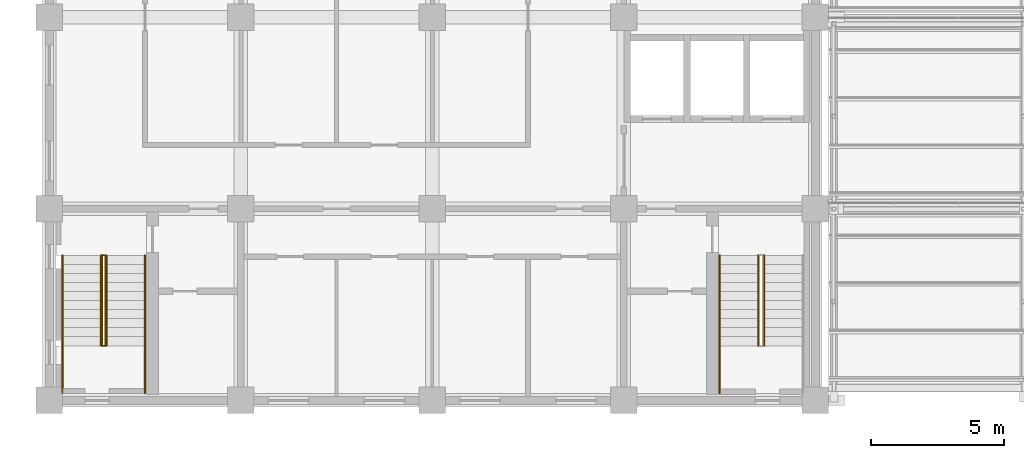
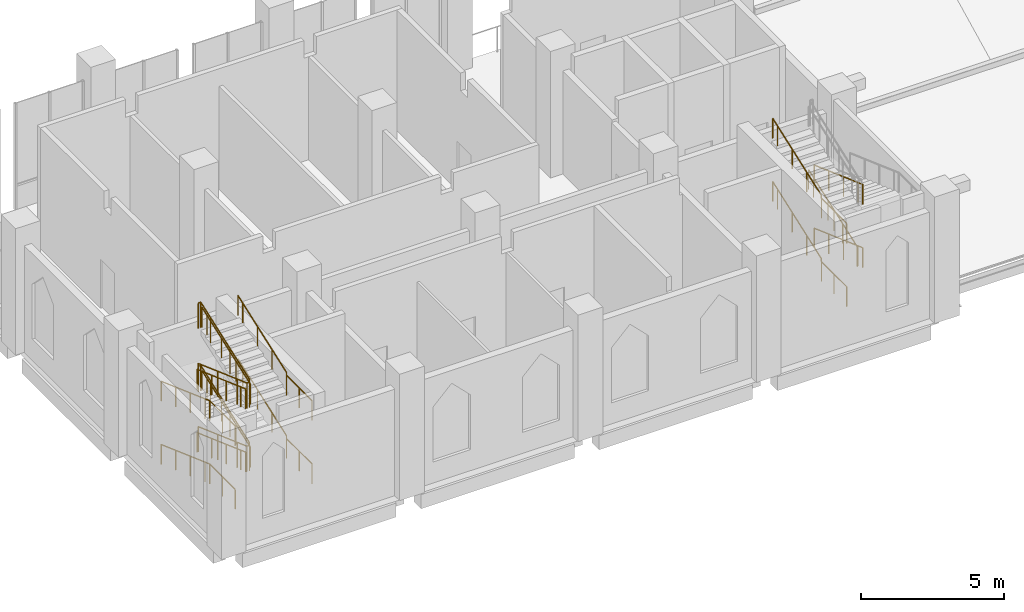
# One storey, part 79 of 83: 14 railings.
"""IFC4 building model written with IfcOpenShell, lengths in metres."""

import ifcopenshell
import ifcopenshell.guid

model = None  # the IFC model being written
_history = None  # IfcOwnerHistory: only IFC2X3 demands one
_inside = {}  # id of a spatial element -> (the spatial element, [elements in it])
_under = {}  # id of a project, library or spatial element -> (it, [spatial elements below it])
_declared = {}  # id of a project -> (the project, [libraries it declares])
_typed = {}  # id of a type object -> (the type object, [elements of that type])
_made_of = {}  # id of a material, layer set ... -> (it, [elements and type objects made of it])


def new_model(schema):
    """Start an empty IFC model of exactly this schema.

    Asked for "IFC4X3", IfcOpenShell would pick the latest addendum, in which some entities
    have other attributes; the version numbers below select the first issue.
    IFC2X3 requires an IfcOwnerHistory on every rooted entity: one is made here for all.
    """
    global model, _history
    if schema == "IFC4X3":
        model = ifcopenshell.file(schema_version=(4, 3, 0, 0))
    else:
        model = ifcopenshell.file(schema=schema)
    _inside.clear()
    _under.clear()
    _declared.clear()
    _typed.clear()
    _made_of.clear()
    _history = None
    if model.schema == "IFC2X3":
        org = make("IfcOrganization", Name="unknown")
        user = make(
            "IfcPersonAndOrganization",
            ThePerson=make("IfcPerson", FamilyName="unknown"),
            TheOrganization=org,
        )
        app = make(
            "IfcApplication",
            ApplicationDeveloper=org,
            Version="unknown",
            ApplicationFullName="unknown",
            ApplicationIdentifier="unknown",
        )
        _history = make(
            "IfcOwnerHistory",
            OwningUser=user,
            OwningApplication=app,
            ChangeAction="ADDED",
            CreationDate=0,
        )
    return model


def make(cls, **values):
    """One entity of the class cls with the attributes given. An attribute that is None is left unset."""
    return model.create_entity(
        cls, **{name: value for name, value in values.items() if value is not None}
    )


def rooted(cls, **values):
    """An entity with a GlobalId (a new one), such as an element, a storey or a relation."""
    return make(cls, GlobalId=ifcopenshell.guid.new(), OwnerHistory=_history, **values)


def si_unit(unit_type, name, prefix=None):
    """IfcSIUnit, for example si_unit("LENGTHUNIT", "METRE", prefix="MILLI")."""
    return make("IfcSIUnit", UnitType=unit_type, Prefix=prefix, Name=name)


def assignment(units):
    """IfcUnitAssignment: the units of a project."""
    return None if units is None else make("IfcUnitAssignment", Units=units)


def point(xyz):
    """IfcCartesianPoint."""
    return None if xyz is None else make("IfcCartesianPoint", Coordinates=xyz)


def direction(xyz):
    """IfcDirection."""
    return None if xyz is None else make("IfcDirection", DirectionRatios=xyz)


def frame(location, z_axis=None, x_axis=None):
    """IfcAxis2Placement3D, a coordinate frame: its origin and axes. An axis left out is left unset."""
    return make(
        "IfcAxis2Placement3D",
        Location=point(location),
        Axis=direction(z_axis),
        RefDirection=direction(x_axis),
    )


def frame_2d(location, x_axis=None):
    """IfcAxis2Placement2D, a coordinate frame in the plane: its origin and x axis."""
    return make(
        "IfcAxis2Placement2D", Location=point(location), RefDirection=direction(x_axis)
    )


def origin():
    """The frame at (0, 0, 0) with its axes left unset."""
    return frame((0.0, 0.0, 0.0))


def origin_2d():
    """The frame at (0, 0) in the plane with its x axis left unset."""
    return frame_2d((0.0, 0.0))


def place(relative_to, where):
    """IfcLocalPlacement: puts the frame where relative to a parent placement (None: the world)."""
    return make(
        "IfcLocalPlacement", PlacementRelTo=relative_to, RelativePlacement=where
    )


def context(
    kind, dimensions, precision=None, world=None, true_north=None, identifier=None
):
    """IfcGeometricRepresentationContext, for example the 3D "Model" context."""
    return make(
        "IfcGeometricRepresentationContext",
        ContextIdentifier=identifier,
        ContextType=kind,
        CoordinateSpaceDimension=dimensions,
        Precision=precision,
        WorldCoordinateSystem=world,
        TrueNorth=true_north,
    )


def subcontext(parent, identifier, kind, view, scale=None):
    """IfcGeometricRepresentationSubContext, for example "Body" below "Model"."""
    return make(
        "IfcGeometricRepresentationSubContext",
        ContextIdentifier=identifier,
        ContextType=kind,
        ParentContext=parent,
        TargetScale=scale,
        TargetView=view,
    )


def project(units=None, contexts=None):
    """IfcProject with its units and contexts."""
    return rooted(
        "IfcProject",
        Name="project",
        RepresentationContexts=contexts,
        UnitsInContext=assignment(units),
    )


def spatial(cls, under=None, at=None, **own):
    """A site, building, storey or space (cls), placed at a placement, below another one or the project."""
    s = rooted(cls, ObjectPlacement=at, **own)
    if under is not None:
        _under.setdefault(under.id(), (under, []))[1].append(s)
    return s


def profile(cls, at=None, kind="AREA", **sizes):
    """A parametric profile (cls). Its sizes go by their IFC names, for example OverallWidth=200.0."""
    return make(cls, ProfileType=kind, Position=at, **sizes)


def circle(**sizes):
    """IfcCircleProfileDef."""
    return profile("IfcCircleProfileDef", **sizes)


def extrude(swept, where, along, depth):
    """IfcExtrudedAreaSolid: the profile swept, set in the frame where, extruded along a direction by depth."""
    return make(
        "IfcExtrudedAreaSolid",
        SweptArea=swept,
        Position=where,
        ExtrudedDirection=direction(along),
        Depth=depth,
    )


def shape(context_of_items, identifier, shape_type, items):
    """IfcShapeRepresentation: the items that make up one representation, for example the "Body"."""
    return make(
        "IfcShapeRepresentation",
        ContextOfItems=context_of_items,
        RepresentationIdentifier=identifier,
        RepresentationType=shape_type,
        Items=items,
    )


def material(Name=None, Category=None):
    """IfcMaterial."""
    return make("IfcMaterial", Name=Name, Category=Category)


def made_of(thing, what):
    """Note that an element or type object is made of a material, layer set ...; save() writes the relation."""
    if what is not None:
        _made_of.setdefault(what.id(), (what, []))[1].append(thing)
    return thing


def type_object(cls, material=None, **own):
    """A type object (cls), such as IfcWallType, which elements share."""
    return made_of(rooted(cls, **own), material)


def element(
    cls,
    number,
    at=None,
    inside=None,
    cuts=None,
    type_object=None,
    material=None,
    context=None,
    identifier="Body",
    shape_type=None,
    held_by="IfcProductDefinitionShape",
    body=None,
    shapes=None,
    **own,
):
    """One element of the class cls, such as IfcWall. Its Tag is "e" and its number.

    at: its placement. inside: the storey or other place that contains it. cuts: it is an
    opening in that element (IfcRelVoidsElement). A single representation is given by context,
    identifier, shape_type and body (its items); several are given by shapes. held_by: the class
    of the entity that holds the representations. save() writes the other relations.
    """
    e = rooted(cls, Tag="e%d" % number, ObjectPlacement=at, **own)
    if body is not None:
        shapes = [shape(context, identifier, shape_type, body)]
    if shapes is not None:
        e.Representation = make(held_by, Representations=shapes)
    if inside is not None:
        _inside.setdefault(inside.id(), (inside, []))[1].append(e)
    if cuts is not None:
        rooted(
            "IfcRelVoidsElement", RelatingBuildingElement=cuts, RelatedOpeningElement=e
        )
    if type_object is not None:
        _typed.setdefault(type_object.id(), (type_object, []))[1].append(e)
    return made_of(e, material)


def aggregate(whole, parts):
    """IfcRelAggregates: a whole, such as a stair, and the parts it consists of."""
    return rooted("IfcRelAggregates", RelatingObject=whole, RelatedObjects=parts)


def save(model, path):
    """Write the relations noted so far, then the file.

    IfcRelAggregates (storeys below a building ...), IfcRelContainedInSpatialStructure (elements
    in a storey), IfcRelDefinesByType, IfcRelAssociatesMaterial and IfcRelDeclares: one each for
    every whole, place, type object, material and project.
    """
    for whole, parts in _under.values():
        aggregate(whole, parts)
    for where, things in _inside.values():
        rooted(
            "IfcRelContainedInSpatialStructure",
            RelatedElements=things,
            RelatingStructure=where,
        )
    for kind, things in _typed.values():
        rooted("IfcRelDefinesByType", RelatedObjects=things, RelatingType=kind)
    for what, things in _made_of.values():
        rooted("IfcRelAssociatesMaterial", RelatedObjects=things, RelatingMaterial=what)
    for by, libraries in _declared.values():
        rooted("IfcRelDeclares", RelatingContext=by, RelatedDefinitions=libraries)
    model.write(path)


model = new_model("IFC4")

# Units and contexts
model_context = context("Model", 3, precision=1e-05, world=origin(), true_north=direction((0.0, 1.0)))
body_context = subcontext(model_context, "Body", "Model", "MODEL_VIEW")
ifc_project = project(units=[si_unit("LENGTHUNIT", "METRE"), si_unit("AREAUNIT", "SQUARE_METRE"), si_unit("VOLUMEUNIT", "CUBIC_METRE"), si_unit("PLANEANGLEUNIT", "RADIAN"), si_unit("MASSUNIT", "GRAM", prefix="KILO")], contexts=[model_context])

# Site, building, storey
site_placement = place(None, origin())
site = spatial("IfcSite", under=ifc_project, at=site_placement, CompositionType="ELEMENT")
building_placement = place(site_placement, origin())
building = spatial("IfcBuilding", under=site, at=building_placement, Name="Silangan Lancet Faculty of Sciences", CompositionType="ELEMENT")
storey_placement = place(building_placement, frame((0.0, 0.0, 11.39990234375)))
storey = spatial("IfcBuildingStorey", under=building, at=storey_placement, Name="L02", CompositionType="ELEMENT", Elevation=11.39990234375)

# Railings
ifc_material_1 = material(Name="Steel balustrade", Category="steel")
railing_type_1 = type_object("IfcRailingType", Name="STAIR GUARD 1100", PredefinedType="GUARDRAIL", material=ifc_material_1)
railing_1_placement = place(storey_placement, frame((2.0, 5.449951171875, 0.122802734375)))
element("IfcRailing", 1, at=railing_1_placement, inside=storey, type_object=railing_type_1, Name="GUARD-ST-A-L02", PredefinedType="GUARDRAIL", context=body_context, shape_type="SweptSolid", body=[
    extrude(circle(Radius=0.02392578125, at=origin_2d()), frame((0.0, 0.0, 1.076171875), z_axis=(0.0, -0.940611573742, 0.339484708555), x_axis=(1.0, 0.0, 0.0)), (0.0, 0.0, 1.0), 2.8916015625),
    extrude(circle(Radius=0.02392578125, at=origin_2d()), frame((0.0, -2.719970703125, 2.0576171875), z_axis=(0.0, -0.940520931127, 0.339735747474), x_axis=(1.0, 0.0, 0.0)), (0.0, 0.0, 1.0), 0.722900390625),
    extrude(circle(Radius=0.02392578125, at=origin_2d()), frame((0.0, -3.39990234375, 2.30322265625), z_axis=(1.0, 0.0, 0.0), x_axis=(0.0, 1.0, 0.0)), (0.0, 0.0, 1.0), 0.10009765625),
    extrude(circle(Radius=0.02392578125, at=origin_2d()), frame((0.10009765625, -3.39990234375, 2.30322265625), z_axis=(0.0, 0.0, 1.0), x_axis=(1.0, 0.0, 0.0)), (0.0, 0.0, 1.0), 0.122802734375),
    extrude(circle(Radius=0.02392578125, at=origin_2d()), frame((0.10009765625, -3.39990234375, 2.42626953125), z_axis=(0.0, 0.940611573742, 0.339484708555), x_axis=(-1.0, 0.0, 0.0)), (0.0, 0.0, 1.0), 2.8916015625),
    extrude(circle(Radius=0.02392578125, at=origin_2d()), frame((0.10009765625, -0.679931640625, 3.40771484375), z_axis=(0.0, 0.940520931127, 0.339735747474), x_axis=(-1.0, 0.0, 0.0)), (0.0, 0.0, 1.0), 0.722900390625),
    extrude(circle(Radius=0.02392578125, at=origin_2d()), frame((0.10009765625, 0.0, 3.6533203125), z_axis=(-1.0, 0.0, 0.0), x_axis=(0.0, -1.0, 0.0)), (0.0, 0.0, 1.0), 0.10009765625),
    extrude(circle(Radius=0.02392578125, at=origin_2d()), frame((0.0, 0.0, 3.6533203125), z_axis=(0.0, 0.0, 1.0), x_axis=(1.0, 0.0, 0.0)), (0.0, 0.0, 1.0), 0.12255859375),
    extrude(circle(Radius=0.02392578125, at=origin_2d()), frame((0.0, 0.0, 3.77587890625), z_axis=(0.0, -0.940584611748, 0.339559402967), x_axis=(1.0, 0.0, 0.0)), (0.0, 0.0, 1.0), 2.891845703125),
    extrude(circle(Radius=0.02392578125, at=origin_2d()), frame((0.0, -2.719970703125, 4.7578125), z_axis=(0.0, -0.940628803885, 0.339436965136), x_axis=(1.0, 0.0, 0.0)), (0.0, 0.0, 1.0), 0.722900390625),
    extrude(circle(Radius=0.02392578125, at=origin_2d()), frame((0.0, -3.39990234375, 5.00341796875), z_axis=(1.0, 0.0, 0.0), x_axis=(0.0, 1.0, 0.0)), (0.0, 0.0, 1.0), 0.10009765625),
    extrude(circle(Radius=0.02392578125, at=origin_2d()), frame((0.10009765625, -3.39990234375, 5.00341796875), z_axis=(0.0, 0.0, 1.0), x_axis=(1.0, 0.0, 0.0)), (0.0, 0.0, 1.0), 0.122802734375),
    extrude(circle(Radius=0.02392578125, at=origin_2d()), frame((0.10009765625, -3.39990234375, 5.1259765625), z_axis=(0.0, 0.940611573742, 0.339484708555), x_axis=(-1.0, 0.0, 0.0)), (0.0, 0.0, 1.0), 2.8916015625),
    extrude(circle(Radius=0.02392578125, at=origin_2d()), frame((0.10009765625, -0.679931640625, 6.10791015625), z_axis=(0.0, 0.940520931127, 0.339735747474), x_axis=(-1.0, 0.0, 0.0)), (0.0, 0.0, 1.0), 0.722900390625),
    extrude(circle(Radius=0.02392578125, at=origin_2d()), frame((0.10009765625, 0.0, 6.353515625), z_axis=(-1.0, 0.0, 0.0), x_axis=(0.0, -1.0, 0.0)), (0.0, 0.0, 1.0), 0.10009765625),
    extrude(circle(Radius=0.02099609375, at=origin_2d()), origin(), (0.0, 0.0, 1.0), 1.052001953125),
    extrude(circle(Radius=0.02099609375, at=origin_2d()), frame((0.0, -1.35986328125, 0.49072265625)), (0.0, 0.0, 1.0), 1.052001953125),
    extrude(circle(Radius=0.02099609375, at=origin_2d()), frame((0.0, -2.719970703125, 0.981689453125)), (0.0, 0.0, 1.0), 1.052001953125),
    extrude(circle(Radius=0.02099609375, at=origin_2d()), frame((0.0, -3.39990234375, 1.227294921875)), (0.0, 0.0, 1.0), 1.052001953125),
    extrude(circle(Radius=0.02099609375, at=origin_2d()), frame((0.10009765625, -3.39990234375, 1.227294921875)), (0.0, 0.0, 1.0), 1.052001953125),
    extrude(circle(Radius=0.02099609375, at=origin_2d()), frame((0.10009765625, -3.39990234375, 1.35009765625)), (0.0, 0.0, 1.0), 1.052001953125),
    extrude(circle(Radius=0.02099609375, at=origin_2d()), frame((0.10009765625, -2.0400390625, 1.8408203125)), (0.0, 0.0, 1.0), 1.052001953125),
    extrude(circle(Radius=0.02099609375, at=origin_2d()), frame((0.10009765625, -0.679931640625, 2.331787109375)), (0.0, 0.0, 1.0), 1.052001953125),
    extrude(circle(Radius=0.02099609375, at=origin_2d()), frame((0.10009765625, 0.0, 2.577392578125)), (0.0, 0.0, 1.0), 1.052001953125),
    extrude(circle(Radius=0.02099609375, at=origin_2d()), frame((0.0, 0.0, 2.577392578125)), (0.0, 0.0, 1.0), 1.052001953125),
    extrude(circle(Radius=0.02099609375, at=origin_2d()), frame((0.0, 0.0, 2.699951171875)), (0.0, 0.0, 1.0), 1.052001953125),
    extrude(circle(Radius=0.02099609375, at=origin_2d()), frame((0.0, -1.35986328125, 3.19091796875)), (0.0, 0.0, 1.0), 1.052001953125),
    extrude(circle(Radius=0.02099609375, at=origin_2d()), frame((0.0, -2.719970703125, 3.681884765625)), (0.0, 0.0, 1.0), 1.052001953125),
    extrude(circle(Radius=0.02099609375, at=origin_2d()), frame((0.0, -3.39990234375, 3.92724609375)), (0.0, 0.0, 1.0), 1.052001953125),
    extrude(circle(Radius=0.02099609375, at=origin_2d()), frame((0.10009765625, -3.39990234375, 3.92724609375)), (0.0, 0.0, 1.0), 1.052001953125),
    extrude(circle(Radius=0.02099609375, at=origin_2d()), frame((0.10009765625, -3.39990234375, 4.050048828125)), (0.0, 0.0, 1.0), 1.052001953125),
    extrude(circle(Radius=0.02099609375, at=origin_2d()), frame((0.10009765625, -2.0400390625, 4.541015625)), (0.0, 0.0, 1.0), 1.052001953125),
    extrude(circle(Radius=0.02099609375, at=origin_2d()), frame((0.10009765625, -0.679931640625, 5.03173828125)), (0.0, 0.0, 1.0), 1.052001953125),
    extrude(circle(Radius=0.02099609375, at=origin_2d()), frame((0.10009765625, 0.0, 5.27734375)), (0.0, 0.0, 1.0), 1.052001953125),
    extrude(circle(Radius=0.02099609375, at=origin_2d()), frame((0.0, 0.0, 5.27734375)), (0.0, 0.0, 1.0), 1.052001953125),
])
ifc_material_2 = material(Name="Stainless steel", Category="steel")
railing_type_2 = type_object("IfcRailingType", Name="STAIR HANDRAIL 865", PredefinedType="HANDRAIL", material=ifc_material_2)
railing_2_placement = place(storey_placement, frame((0.5, 5.449951171875, 0.122802734375)))
element("IfcRailing", 2, at=railing_2_placement, inside=storey, type_object=railing_type_2, Name="HANDRAIL-ST-A-L02-O1", PredefinedType="HANDRAIL", context=body_context, shape_type="SweptSolid", body=[
    extrude(circle(Radius=0.02392578125, at=origin_2d()), frame((0.0, 0.0, 0.8408203125), z_axis=(0.0, -0.94060583065, 0.339500620541), x_axis=(1.0, 0.0, 0.0)), (0.0, 0.0, 1.0), 1.08447265625),
    extrude(circle(Radius=0.02392578125, at=origin_2d()), frame((0.0, -1.02001953125, 1.208984375), z_axis=(0.0, -0.94060583065, 0.339500620541), x_axis=(1.0, 0.0, 0.0)), (0.0, 0.0, 1.0), 1.08447265625),
    extrude(circle(Radius=0.02392578125, at=origin_2d()), frame((0.0, -2.0400390625, 1.5771484375), z_axis=(0.0, -0.94060583065, 0.339500620541), x_axis=(1.0, 0.0, 0.0)), (0.0, 0.0, 1.0), 1.08447265625),
    extrude(circle(Radius=0.02392578125, at=origin_2d()), frame((0.0, -3.06005859375, 1.9453125), z_axis=(0.0, -0.940481933992, 0.339843687355), x_axis=(1.0, 0.0, 0.0)), (0.0, 0.0, 1.0), 0.361328125),
    extrude(circle(Radius=0.02392578125, at=origin_2d()), frame((0.0, -3.39990234375, 2.068359375), z_axis=(0.0, -1.0, 0.0), x_axis=(1.0, 0.0, 0.0)), (0.0, 0.0, 1.0), 1.775146484375),
    extrude(circle(Radius=0.02099609375, at=origin_2d()), origin(), (0.0, 0.0, 1.0), 0.81689453125),
    extrude(circle(Radius=0.02099609375, at=origin_2d()), frame((0.0, -1.02001953125, 0.3681640625)), (0.0, 0.0, 1.0), 0.81689453125),
    extrude(circle(Radius=0.02099609375, at=origin_2d()), frame((0.0, -2.0400390625, 0.736328125)), (0.0, 0.0, 1.0), 0.81689453125),
    extrude(circle(Radius=0.02099609375, at=origin_2d()), frame((0.0, -3.06005859375, 1.1044921875)), (0.0, 0.0, 1.0), 0.81689453125),
    extrude(circle(Radius=0.02099609375, at=origin_2d()), frame((0.0, -3.39990234375, 1.227294921875)), (0.0, 0.0, 1.0), 0.81689453125),
    extrude(circle(Radius=0.02099609375, at=origin_2d()), frame((0.0, -4.28759765625, 1.227294921875)), (0.0, 0.0, 1.0), 0.81689453125),
    extrude(circle(Radius=0.02099609375, at=origin_2d()), frame((0.0, -5.175048828125, 1.227294921875)), (0.0, 0.0, 1.0), 0.81689453125),
])
railing_3_placement = place(storey_placement, frame((1.949951171875, 5.449951171875, 0.122802734375)))
element("IfcRailing", 3, at=railing_3_placement, inside=storey, type_object=railing_type_2, Name="HANDRAIL-ST-A-L02-I1", PredefinedType="HANDRAIL", context=body_context, shape_type="SweptSolid", body=[
    extrude(circle(Radius=0.02392578125, at=origin_2d()), frame((0.0, 0.0, 0.8408203125), z_axis=(0.0, -0.94060583065, 0.339500620541), x_axis=(1.0, 0.0, 0.0)), (0.0, 0.0, 1.0), 1.08447265625),
    extrude(circle(Radius=0.02392578125, at=origin_2d()), frame((0.0, -1.02001953125, 1.208984375), z_axis=(0.0, -0.94060583065, 0.339500620541), x_axis=(1.0, 0.0, 0.0)), (0.0, 0.0, 1.0), 1.08447265625),
    extrude(circle(Radius=0.02392578125, at=origin_2d()), frame((0.0, -2.0400390625, 1.5771484375), z_axis=(0.0, -0.94060583065, 0.339500620541), x_axis=(1.0, 0.0, 0.0)), (0.0, 0.0, 1.0), 1.08447265625),
    extrude(circle(Radius=0.02392578125, at=origin_2d()), frame((0.0, -3.06005859375, 1.9453125), z_axis=(0.0, -0.940481933992, 0.339843687355), x_axis=(1.0, 0.0, 0.0)), (0.0, 0.0, 1.0), 0.361328125),
    extrude(circle(Radius=0.02099609375, at=origin_2d()), origin(), (0.0, 0.0, 1.0), 0.81689453125),
    extrude(circle(Radius=0.02099609375, at=origin_2d()), frame((0.0, -1.02001953125, 0.3681640625)), (0.0, 0.0, 1.0), 0.81689453125),
    extrude(circle(Radius=0.02099609375, at=origin_2d()), frame((0.0, -2.0400390625, 0.736328125)), (0.0, 0.0, 1.0), 0.81689453125),
    extrude(circle(Radius=0.02099609375, at=origin_2d()), frame((0.0, -3.06005859375, 1.1044921875)), (0.0, 0.0, 1.0), 0.81689453125),
    extrude(circle(Radius=0.02099609375, at=origin_2d()), frame((0.0, -3.39990234375, 1.227294921875)), (0.0, 0.0, 1.0), 0.81689453125),
])
railing_4_placement = place(storey_placement, frame((3.60009765625, 0.27490234375, 1.35009765625)))
element("IfcRailing", 4, at=railing_4_placement, inside=storey, type_object=railing_type_2, Name="HANDRAIL-ST-A-L02-O2", PredefinedType="HANDRAIL", context=body_context, shape_type="SweptSolid", body=[
    extrude(circle(Radius=0.02392578125, at=origin_2d()), frame((0.0, 0.0, 0.8408203125), z_axis=(0.0, 1.0, 0.0), x_axis=(-1.0, 0.0, 0.0)), (0.0, 0.0, 1.0), 1.775146484375),
    extrude(circle(Radius=0.02392578125, at=origin_2d()), frame((0.0, 1.775146484375, 0.8408203125), z_axis=(0.0, 0.0, 1.0), x_axis=(1.0, 0.0, 0.0)), (0.0, 0.0, 1.0), 0.122802734375),
    extrude(circle(Radius=0.02392578125, at=origin_2d()), frame((0.0, 1.775146484375, 0.9638671875), z_axis=(0.0, 0.94060583065, 0.339500620541), x_axis=(-1.0, 0.0, 0.0)), (0.0, 0.0, 1.0), 1.08447265625),
    extrude(circle(Radius=0.02392578125, at=origin_2d()), frame((0.0, 2.795166015625, 1.33203125), z_axis=(0.0, 0.94060583065, 0.339500620541), x_axis=(-1.0, 0.0, 0.0)), (0.0, 0.0, 1.0), 1.08447265625),
    extrude(circle(Radius=0.02392578125, at=origin_2d()), frame((0.0, 3.815185546875, 1.7001953125), z_axis=(0.0, 0.94060583065, 0.339500620541), x_axis=(-1.0, 0.0, 0.0)), (0.0, 0.0, 1.0), 1.08447265625),
    extrude(circle(Radius=0.02392578125, at=origin_2d()), frame((0.0, 4.835205078125, 2.068359375), z_axis=(0.0, 0.940481933992, 0.339843687355), x_axis=(-1.0, 0.0, 0.0)), (0.0, 0.0, 1.0), 0.361328125),
    extrude(circle(Radius=0.02099609375, at=origin_2d()), origin(), (0.0, 0.0, 1.0), 0.81689453125),
    extrude(circle(Radius=0.02099609375, at=origin_2d()), frame((0.0, 0.8876953125, 0.0)), (0.0, 0.0, 1.0), 0.81689453125),
    extrude(circle(Radius=0.02099609375, at=origin_2d()), frame((0.0, 1.775146484375, 0.0)), (0.0, 0.0, 1.0), 0.81689453125),
    extrude(circle(Radius=0.02099609375, at=origin_2d()), frame((0.0, 1.775146484375, 0.122802734375)), (0.0, 0.0, 1.0), 0.81689453125),
    extrude(circle(Radius=0.02099609375, at=origin_2d()), frame((0.0, 2.795166015625, 0.490966796875)), (0.0, 0.0, 1.0), 0.81689453125),
    extrude(circle(Radius=0.02099609375, at=origin_2d()), frame((0.0, 3.815185546875, 0.859130859375)), (0.0, 0.0, 1.0), 0.81689453125),
    extrude(circle(Radius=0.02099609375, at=origin_2d()), frame((0.0, 4.835205078125, 1.227294921875)), (0.0, 0.0, 1.0), 0.81689453125),
    extrude(circle(Radius=0.02099609375, at=origin_2d()), frame((0.0, 5.175048828125, 1.35009765625)), (0.0, 0.0, 1.0), 0.81689453125),
])
railing_5_placement = place(storey_placement, frame((2.14990234375, 2.050048828125, 1.472900390625)))
element("IfcRailing", 5, at=railing_5_placement, inside=storey, type_object=railing_type_2, Name="HANDRAIL-ST-A-L02-I2", PredefinedType="HANDRAIL", context=body_context, shape_type="SweptSolid", body=[
    extrude(circle(Radius=0.02392578125, at=origin_2d()), frame((0.0, 0.0, 0.8408203125), z_axis=(0.0, 0.94060583065, 0.339500620541), x_axis=(-1.0, 0.0, 0.0)), (0.0, 0.0, 1.0), 1.08447265625),
    extrude(circle(Radius=0.02392578125, at=origin_2d()), frame((0.0, 1.02001953125, 1.208984375), z_axis=(0.0, 0.94060583065, 0.339500620541), x_axis=(-1.0, 0.0, 0.0)), (0.0, 0.0, 1.0), 1.08447265625),
    extrude(circle(Radius=0.02392578125, at=origin_2d()), frame((0.0, 2.0400390625, 1.5771484375), z_axis=(0.0, 0.94060583065, 0.339500620541), x_axis=(-1.0, 0.0, 0.0)), (0.0, 0.0, 1.0), 1.08447265625),
    extrude(circle(Radius=0.02392578125, at=origin_2d()), frame((0.0, 3.06005859375, 1.9453125), z_axis=(0.0, 0.940481933992, 0.339843687355), x_axis=(-1.0, 0.0, 0.0)), (0.0, 0.0, 1.0), 0.361328125),
    extrude(circle(Radius=0.02099609375, at=origin_2d()), origin(), (0.0, 0.0, 1.0), 0.81689453125),
    extrude(circle(Radius=0.02099609375, at=origin_2d()), frame((0.0, 1.02001953125, 0.3681640625)), (0.0, 0.0, 1.0), 0.81689453125),
    extrude(circle(Radius=0.02099609375, at=origin_2d()), frame((0.0, 2.0400390625, 0.736328125)), (0.0, 0.0, 1.0), 0.81689453125),
    extrude(circle(Radius=0.02099609375, at=origin_2d()), frame((0.0, 3.06005859375, 1.1044921875)), (0.0, 0.0, 1.0), 0.81689453125),
    extrude(circle(Radius=0.02099609375, at=origin_2d()), frame((0.0, 3.39990234375, 1.227294921875)), (0.0, 0.0, 1.0), 0.81689453125),
])
railing_6_placement = place(storey_placement, frame((0.5, 5.449951171875, 2.82275390625)))
element("IfcRailing", 6, at=railing_6_placement, inside=storey, type_object=railing_type_2, Name="HANDRAIL-ST-A-L02-O3", PredefinedType="HANDRAIL", context=body_context, shape_type="SweptSolid", body=[
    extrude(circle(Radius=0.02392578125, at=origin_2d()), frame((0.0, 0.0, 0.8408203125), z_axis=(0.0, -0.94060583065, 0.339500620541), x_axis=(1.0, 0.0, 0.0)), (0.0, 0.0, 1.0), 1.08447265625),
    extrude(circle(Radius=0.02392578125, at=origin_2d()), frame((0.0, -1.02001953125, 1.208984375), z_axis=(0.0, -0.94060583065, 0.339500620541), x_axis=(1.0, 0.0, 0.0)), (0.0, 0.0, 1.0), 1.08447265625),
    extrude(circle(Radius=0.02392578125, at=origin_2d()), frame((0.0, -2.0400390625, 1.5771484375), z_axis=(0.0, -0.940533921917, 0.339699781755), x_axis=(1.0, 0.0, 0.0)), (0.0, 0.0, 1.0), 1.08447265625),
    extrude(circle(Radius=0.02392578125, at=origin_2d()), frame((0.0, -3.06005859375, 1.94580078125), z_axis=(0.0, -0.940697737464, 0.339245879459), x_axis=(1.0, 0.0, 0.0)), (0.0, 0.0, 1.0), 0.361328125),
    extrude(circle(Radius=0.02392578125, at=origin_2d()), frame((0.0, -3.39990234375, 2.068359375), z_axis=(0.0, -1.0, 0.0), x_axis=(1.0, 0.0, 0.0)), (0.0, 0.0, 1.0), 1.775146484375),
    extrude(circle(Radius=0.02099609375, at=origin_2d()), origin(), (0.0, 0.0, 1.0), 0.81689453125),
    extrude(circle(Radius=0.02099609375, at=origin_2d()), frame((0.0, -1.02001953125, 0.3681640625)), (0.0, 0.0, 1.0), 0.81689453125),
    extrude(circle(Radius=0.02099609375, at=origin_2d()), frame((0.0, -2.0400390625, 0.736328125)), (0.0, 0.0, 1.0), 0.81689453125),
    extrude(circle(Radius=0.02099609375, at=origin_2d()), frame((0.0, -3.06005859375, 1.104736328125)), (0.0, 0.0, 1.0), 0.81689453125),
    extrude(circle(Radius=0.02099609375, at=origin_2d()), frame((0.0, -3.39990234375, 1.227294921875)), (0.0, 0.0, 1.0), 0.81689453125),
    extrude(circle(Radius=0.02099609375, at=origin_2d()), frame((0.0, -4.28759765625, 1.227294921875)), (0.0, 0.0, 1.0), 0.81689453125),
    extrude(circle(Radius=0.02099609375, at=origin_2d()), frame((0.0, -5.175048828125, 1.227294921875)), (0.0, 0.0, 1.0), 0.81689453125),
])
railing_7_placement = place(storey_placement, frame((1.949951171875, 5.449951171875, 2.82275390625)))
element("IfcRailing", 7, at=railing_7_placement, inside=storey, type_object=railing_type_2, Name="HANDRAIL-ST-A-L02-I3", PredefinedType="HANDRAIL", context=body_context, shape_type="SweptSolid", body=[
    extrude(circle(Radius=0.02392578125, at=origin_2d()), frame((0.0, 0.0, 0.8408203125), z_axis=(0.0, -0.94060583065, 0.339500620541), x_axis=(1.0, 0.0, 0.0)), (0.0, 0.0, 1.0), 1.08447265625),
    extrude(circle(Radius=0.02392578125, at=origin_2d()), frame((0.0, -1.02001953125, 1.208984375), z_axis=(0.0, -0.94060583065, 0.339500620541), x_axis=(1.0, 0.0, 0.0)), (0.0, 0.0, 1.0), 1.08447265625),
    extrude(circle(Radius=0.02392578125, at=origin_2d()), frame((0.0, -2.0400390625, 1.5771484375), z_axis=(0.0, -0.940533921917, 0.339699781755), x_axis=(1.0, 0.0, 0.0)), (0.0, 0.0, 1.0), 1.08447265625),
    extrude(circle(Radius=0.02392578125, at=origin_2d()), frame((0.0, -3.06005859375, 1.94580078125), z_axis=(0.0, -0.940697737464, 0.339245879459), x_axis=(1.0, 0.0, 0.0)), (0.0, 0.0, 1.0), 0.361328125),
    extrude(circle(Radius=0.02099609375, at=origin_2d()), origin(), (0.0, 0.0, 1.0), 0.81689453125),
    extrude(circle(Radius=0.02099609375, at=origin_2d()), frame((0.0, -1.02001953125, 0.3681640625)), (0.0, 0.0, 1.0), 0.81689453125),
    extrude(circle(Radius=0.02099609375, at=origin_2d()), frame((0.0, -2.0400390625, 0.736328125)), (0.0, 0.0, 1.0), 0.81689453125),
    extrude(circle(Radius=0.02099609375, at=origin_2d()), frame((0.0, -3.06005859375, 1.104736328125)), (0.0, 0.0, 1.0), 0.81689453125),
    extrude(circle(Radius=0.02099609375, at=origin_2d()), frame((0.0, -3.39990234375, 1.227294921875)), (0.0, 0.0, 1.0), 0.81689453125),
])
railing_8_placement = place(storey_placement, frame((3.60009765625, 0.27490234375, 4.050048828125)))
element("IfcRailing", 8, at=railing_8_placement, inside=storey, type_object=railing_type_2, Name="HANDRAIL-ST-A-L02-O4", PredefinedType="HANDRAIL", context=body_context, shape_type="SweptSolid", body=[
    extrude(circle(Radius=0.02392578125, at=origin_2d()), frame((0.0, 0.0, 0.8408203125), z_axis=(0.0, 1.0, 0.0), x_axis=(-1.0, 0.0, 0.0)), (0.0, 0.0, 1.0), 1.775146484375),
    extrude(circle(Radius=0.02392578125, at=origin_2d()), frame((0.0, 1.775146484375, 0.8408203125), z_axis=(0.0, 0.0, 1.0), x_axis=(1.0, 0.0, 0.0)), (0.0, 0.0, 1.0), 0.122802734375),
    extrude(circle(Radius=0.02392578125, at=origin_2d()), frame((0.0, 1.775146484375, 0.9638671875), z_axis=(0.0, 0.94060583065, 0.339500620541), x_axis=(-1.0, 0.0, 0.0)), (0.0, 0.0, 1.0), 1.08447265625),
    extrude(circle(Radius=0.02392578125, at=origin_2d()), frame((0.0, 2.795166015625, 1.33203125), z_axis=(0.0, 0.94060583065, 0.339500620541), x_axis=(-1.0, 0.0, 0.0)), (0.0, 0.0, 1.0), 1.08447265625),
    extrude(circle(Radius=0.02392578125, at=origin_2d()), frame((0.0, 3.815185546875, 1.7001953125), z_axis=(0.0, 0.94060583065, 0.339500620541), x_axis=(-1.0, 0.0, 0.0)), (0.0, 0.0, 1.0), 1.08447265625),
    extrude(circle(Radius=0.02392578125, at=origin_2d()), frame((0.0, 4.835205078125, 2.068359375), z_axis=(0.0, 0.940481933992, 0.339843687355), x_axis=(-1.0, 0.0, 0.0)), (0.0, 0.0, 1.0), 0.361328125),
    extrude(circle(Radius=0.02099609375, at=origin_2d()), origin(), (0.0, 0.0, 1.0), 0.81689453125),
    extrude(circle(Radius=0.02099609375, at=origin_2d()), frame((0.0, 0.8876953125, 0.0)), (0.0, 0.0, 1.0), 0.81689453125),
    extrude(circle(Radius=0.02099609375, at=origin_2d()), frame((0.0, 1.775146484375, 0.0)), (0.0, 0.0, 1.0), 0.81689453125),
    extrude(circle(Radius=0.02099609375, at=origin_2d()), frame((0.0, 1.775146484375, 0.122802734375)), (0.0, 0.0, 1.0), 0.81689453125),
    extrude(circle(Radius=0.02099609375, at=origin_2d()), frame((0.0, 2.795166015625, 0.490966796875)), (0.0, 0.0, 1.0), 0.81689453125),
    extrude(circle(Radius=0.02099609375, at=origin_2d()), frame((0.0, 3.815185546875, 0.859130859375)), (0.0, 0.0, 1.0), 0.81689453125),
    extrude(circle(Radius=0.02099609375, at=origin_2d()), frame((0.0, 4.835205078125, 1.227294921875)), (0.0, 0.0, 1.0), 0.81689453125),
    extrude(circle(Radius=0.02099609375, at=origin_2d()), frame((0.0, 5.175048828125, 1.35009765625)), (0.0, 0.0, 1.0), 0.81689453125),
])
railing_9_placement = place(storey_placement, frame((2.14990234375, 2.050048828125, 4.1728515625)))
element("IfcRailing", 9, at=railing_9_placement, inside=storey, type_object=railing_type_2, Name="HANDRAIL-ST-A-L02-I4", PredefinedType="HANDRAIL", context=body_context, shape_type="SweptSolid", body=[
    extrude(circle(Radius=0.02392578125, at=origin_2d()), frame((0.0, 0.0, 0.8408203125), z_axis=(0.0, 0.94060583065, 0.339500620541), x_axis=(-1.0, 0.0, 0.0)), (0.0, 0.0, 1.0), 1.08447265625),
    extrude(circle(Radius=0.02392578125, at=origin_2d()), frame((0.0, 1.02001953125, 1.208984375), z_axis=(0.0, 0.94060583065, 0.339500620541), x_axis=(-1.0, 0.0, 0.0)), (0.0, 0.0, 1.0), 1.08447265625),
    extrude(circle(Radius=0.02392578125, at=origin_2d()), frame((0.0, 2.0400390625, 1.5771484375), z_axis=(0.0, 0.94060583065, 0.339500620541), x_axis=(-1.0, 0.0, 0.0)), (0.0, 0.0, 1.0), 1.08447265625),
    extrude(circle(Radius=0.02392578125, at=origin_2d()), frame((0.0, 3.06005859375, 1.9453125), z_axis=(0.0, 0.940481933992, 0.339843687355), x_axis=(-1.0, 0.0, 0.0)), (0.0, 0.0, 1.0), 0.361328125),
    extrude(circle(Radius=0.02099609375, at=origin_2d()), origin(), (0.0, 0.0, 1.0), 0.81689453125),
    extrude(circle(Radius=0.02099609375, at=origin_2d()), frame((0.0, 1.02001953125, 0.3681640625)), (0.0, 0.0, 1.0), 0.81689453125),
    extrude(circle(Radius=0.02099609375, at=origin_2d()), frame((0.0, 2.0400390625, 0.736328125)), (0.0, 0.0, 1.0), 0.81689453125),
    extrude(circle(Radius=0.02099609375, at=origin_2d()), frame((0.0, 3.06005859375, 1.1044921875)), (0.0, 0.0, 1.0), 0.81689453125),
    extrude(circle(Radius=0.02099609375, at=origin_2d()), frame((0.0, 3.39990234375, 1.227294921875)), (0.0, 0.0, 1.0), 0.81689453125),
])
railing_10_placement = place(storey_placement, frame((26.875, 5.449951171875, 0.122802734375)))
element("IfcRailing", 10, at=railing_10_placement, inside=storey, type_object=railing_type_2, Name="HANDRAIL-ST-B-L02-I1", PredefinedType="HANDRAIL", context=body_context, shape_type="SweptSolid", body=[
    extrude(circle(Radius=0.02392578125, at=origin_2d()), frame((0.0, 0.0, 0.8408203125), z_axis=(0.0, -0.94060583065, 0.339500620541), x_axis=(1.0, 0.0, 0.0)), (0.0, 0.0, 1.0), 1.08447265625),
    extrude(circle(Radius=0.02392578125, at=origin_2d()), frame((0.0, -1.02001953125, 1.208984375), z_axis=(0.0, -0.94060583065, 0.339500620541), x_axis=(1.0, 0.0, 0.0)), (0.0, 0.0, 1.0), 1.08447265625),
    extrude(circle(Radius=0.02392578125, at=origin_2d()), frame((0.0, -2.0400390625, 1.5771484375), z_axis=(0.0, -0.94060583065, 0.339500620541), x_axis=(1.0, 0.0, 0.0)), (0.0, 0.0, 1.0), 1.08447265625),
    extrude(circle(Radius=0.02392578125, at=origin_2d()), frame((0.0, -3.06005859375, 1.9453125), z_axis=(0.0, -0.940481933992, 0.339843687355), x_axis=(1.0, 0.0, 0.0)), (0.0, 0.0, 1.0), 0.361328125),
    extrude(circle(Radius=0.02099609375, at=origin_2d()), origin(), (0.0, 0.0, 1.0), 0.81689453125),
    extrude(circle(Radius=0.02099609375, at=origin_2d()), frame((0.0, -1.02001953125, 0.3681640625)), (0.0, 0.0, 1.0), 0.81689453125),
    extrude(circle(Radius=0.02099609375, at=origin_2d()), frame((0.0, -2.0400390625, 0.736328125)), (0.0, 0.0, 1.0), 0.81689453125),
    extrude(circle(Radius=0.02099609375, at=origin_2d()), frame((0.0, -3.06005859375, 1.1044921875)), (0.0, 0.0, 1.0), 0.81689453125),
    extrude(circle(Radius=0.02099609375, at=origin_2d()), frame((0.0, -3.39990234375, 1.227294921875)), (0.0, 0.0, 1.0), 0.81689453125),
])
railing_11_placement = place(storey_placement, frame((25.199951171875, 0.27490234375, 1.35009765625)))
element("IfcRailing", 11, at=railing_11_placement, inside=storey, type_object=railing_type_2, Name="HANDRAIL-ST-B-L02-O2", PredefinedType="HANDRAIL", context=body_context, shape_type="SweptSolid", body=[
    extrude(circle(Radius=0.02392578125, at=origin_2d()), frame((0.0, 0.0, 0.8408203125), z_axis=(0.0, 1.0, 0.0), x_axis=(-1.0, 0.0, 0.0)), (0.0, 0.0, 1.0), 1.775146484375),
    extrude(circle(Radius=0.02392578125, at=origin_2d()), frame((0.0, 1.775146484375, 0.8408203125), z_axis=(0.0, 0.0, 1.0), x_axis=(1.0, 0.0, 0.0)), (0.0, 0.0, 1.0), 0.122802734375),
    extrude(circle(Radius=0.02392578125, at=origin_2d()), frame((0.0, 1.775146484375, 0.9638671875), z_axis=(0.0, 0.94060583065, 0.339500620541), x_axis=(-1.0, 0.0, 0.0)), (0.0, 0.0, 1.0), 1.08447265625),
    extrude(circle(Radius=0.02392578125, at=origin_2d()), frame((0.0, 2.795166015625, 1.33203125), z_axis=(0.0, 0.94060583065, 0.339500620541), x_axis=(-1.0, 0.0, 0.0)), (0.0, 0.0, 1.0), 1.08447265625),
    extrude(circle(Radius=0.02392578125, at=origin_2d()), frame((0.0, 3.815185546875, 1.7001953125), z_axis=(0.0, 0.94060583065, 0.339500620541), x_axis=(-1.0, 0.0, 0.0)), (0.0, 0.0, 1.0), 1.08447265625),
    extrude(circle(Radius=0.02392578125, at=origin_2d()), frame((0.0, 4.835205078125, 2.068359375), z_axis=(0.0, 0.940481933992, 0.339843687355), x_axis=(-1.0, 0.0, 0.0)), (0.0, 0.0, 1.0), 0.361328125),
    extrude(circle(Radius=0.02099609375, at=origin_2d()), origin(), (0.0, 0.0, 1.0), 0.81689453125),
    extrude(circle(Radius=0.02099609375, at=origin_2d()), frame((0.0, 0.8876953125, 0.0)), (0.0, 0.0, 1.0), 0.81689453125),
    extrude(circle(Radius=0.02099609375, at=origin_2d()), frame((0.0, 1.775146484375, 0.0)), (0.0, 0.0, 1.0), 0.81689453125),
    extrude(circle(Radius=0.02099609375, at=origin_2d()), frame((0.0, 1.775146484375, 0.122802734375)), (0.0, 0.0, 1.0), 0.81689453125),
    extrude(circle(Radius=0.02099609375, at=origin_2d()), frame((0.0, 2.795166015625, 0.490966796875)), (0.0, 0.0, 1.0), 0.81689453125),
    extrude(circle(Radius=0.02099609375, at=origin_2d()), frame((0.0, 3.815185546875, 0.859130859375)), (0.0, 0.0, 1.0), 0.81689453125),
    extrude(circle(Radius=0.02099609375, at=origin_2d()), frame((0.0, 4.835205078125, 1.227294921875)), (0.0, 0.0, 1.0), 0.81689453125),
    extrude(circle(Radius=0.02099609375, at=origin_2d()), frame((0.0, 5.175048828125, 1.35009765625)), (0.0, 0.0, 1.0), 0.81689453125),
])
railing_12_placement = place(storey_placement, frame((26.64990234375, 2.050048828125, 1.472900390625)))
element("IfcRailing", 12, at=railing_12_placement, inside=storey, type_object=railing_type_2, Name="HANDRAIL-ST-B-L02-I2", PredefinedType="HANDRAIL", context=body_context, shape_type="SweptSolid", body=[
    extrude(circle(Radius=0.02392578125, at=origin_2d()), frame((0.0, 0.0, 0.8408203125), z_axis=(0.0, 0.94060583065, 0.339500620541), x_axis=(-1.0, 0.0, 0.0)), (0.0, 0.0, 1.0), 1.08447265625),
    extrude(circle(Radius=0.02392578125, at=origin_2d()), frame((0.0, 1.02001953125, 1.208984375), z_axis=(0.0, 0.94060583065, 0.339500620541), x_axis=(-1.0, 0.0, 0.0)), (0.0, 0.0, 1.0), 1.08447265625),
    extrude(circle(Radius=0.02392578125, at=origin_2d()), frame((0.0, 2.0400390625, 1.5771484375), z_axis=(0.0, 0.94060583065, 0.339500620541), x_axis=(-1.0, 0.0, 0.0)), (0.0, 0.0, 1.0), 1.08447265625),
    extrude(circle(Radius=0.02392578125, at=origin_2d()), frame((0.0, 3.06005859375, 1.9453125), z_axis=(0.0, 0.940481933992, 0.339843687355), x_axis=(-1.0, 0.0, 0.0)), (0.0, 0.0, 1.0), 0.361328125),
    extrude(circle(Radius=0.02099609375, at=origin_2d()), origin(), (0.0, 0.0, 1.0), 0.81689453125),
    extrude(circle(Radius=0.02099609375, at=origin_2d()), frame((0.0, 1.02001953125, 0.3681640625)), (0.0, 0.0, 1.0), 0.81689453125),
    extrude(circle(Radius=0.02099609375, at=origin_2d()), frame((0.0, 2.0400390625, 0.736328125)), (0.0, 0.0, 1.0), 0.81689453125),
    extrude(circle(Radius=0.02099609375, at=origin_2d()), frame((0.0, 3.06005859375, 1.1044921875)), (0.0, 0.0, 1.0), 0.81689453125),
    extrude(circle(Radius=0.02099609375, at=origin_2d()), frame((0.0, 3.39990234375, 1.227294921875)), (0.0, 0.0, 1.0), 0.81689453125),
])
railing_13_placement = place(storey_placement, frame((26.875, 5.449951171875, 2.82275390625)))
element("IfcRailing", 13, at=railing_13_placement, inside=storey, type_object=railing_type_2, Name="HANDRAIL-ST-B-L02-I3", PredefinedType="HANDRAIL", context=body_context, shape_type="SweptSolid", body=[
    extrude(circle(Radius=0.02392578125, at=origin_2d()), frame((0.0, 0.0, 0.8408203125), z_axis=(0.0, -0.94060583065, 0.339500620541), x_axis=(1.0, 0.0, 0.0)), (0.0, 0.0, 1.0), 1.08447265625),
    extrude(circle(Radius=0.02392578125, at=origin_2d()), frame((0.0, -1.02001953125, 1.208984375), z_axis=(0.0, -0.94060583065, 0.339500620541), x_axis=(1.0, 0.0, 0.0)), (0.0, 0.0, 1.0), 1.08447265625),
    extrude(circle(Radius=0.02392578125, at=origin_2d()), frame((0.0, -2.0400390625, 1.5771484375), z_axis=(0.0, -0.940533921917, 0.339699781755), x_axis=(1.0, 0.0, 0.0)), (0.0, 0.0, 1.0), 1.08447265625),
    extrude(circle(Radius=0.02392578125, at=origin_2d()), frame((0.0, -3.06005859375, 1.94580078125), z_axis=(0.0, -0.940697737464, 0.339245879459), x_axis=(1.0, 0.0, 0.0)), (0.0, 0.0, 1.0), 0.361328125),
    extrude(circle(Radius=0.02099609375, at=origin_2d()), origin(), (0.0, 0.0, 1.0), 0.81689453125),
    extrude(circle(Radius=0.02099609375, at=origin_2d()), frame((0.0, -1.02001953125, 0.3681640625)), (0.0, 0.0, 1.0), 0.81689453125),
    extrude(circle(Radius=0.02099609375, at=origin_2d()), frame((0.0, -2.0400390625, 0.736328125)), (0.0, 0.0, 1.0), 0.81689453125),
    extrude(circle(Radius=0.02099609375, at=origin_2d()), frame((0.0, -3.06005859375, 1.104736328125)), (0.0, 0.0, 1.0), 0.81689453125),
    extrude(circle(Radius=0.02099609375, at=origin_2d()), frame((0.0, -3.39990234375, 1.227294921875)), (0.0, 0.0, 1.0), 0.81689453125),
])
railing_14_placement = place(storey_placement, frame((25.199951171875, 0.27490234375, 4.050048828125)))
element("IfcRailing", 14, at=railing_14_placement, inside=storey, type_object=railing_type_2, Name="HANDRAIL-ST-B-L02-O4", PredefinedType="HANDRAIL", context=body_context, shape_type="SweptSolid", body=[
    extrude(circle(Radius=0.02392578125, at=origin_2d()), frame((0.0, 0.0, 0.8408203125), z_axis=(0.0, 1.0, 0.0), x_axis=(-1.0, 0.0, 0.0)), (0.0, 0.0, 1.0), 1.775146484375),
    extrude(circle(Radius=0.02392578125, at=origin_2d()), frame((0.0, 1.775146484375, 0.8408203125), z_axis=(0.0, 0.0, 1.0), x_axis=(1.0, 0.0, 0.0)), (0.0, 0.0, 1.0), 0.122802734375),
    extrude(circle(Radius=0.02392578125, at=origin_2d()), frame((0.0, 1.775146484375, 0.9638671875), z_axis=(0.0, 0.94060583065, 0.339500620541), x_axis=(-1.0, 0.0, 0.0)), (0.0, 0.0, 1.0), 1.08447265625),
    extrude(circle(Radius=0.02392578125, at=origin_2d()), frame((0.0, 2.795166015625, 1.33203125), z_axis=(0.0, 0.94060583065, 0.339500620541), x_axis=(-1.0, 0.0, 0.0)), (0.0, 0.0, 1.0), 1.08447265625),
    extrude(circle(Radius=0.02392578125, at=origin_2d()), frame((0.0, 3.815185546875, 1.7001953125), z_axis=(0.0, 0.94060583065, 0.339500620541), x_axis=(-1.0, 0.0, 0.0)), (0.0, 0.0, 1.0), 1.08447265625),
    extrude(circle(Radius=0.02392578125, at=origin_2d()), frame((0.0, 4.835205078125, 2.068359375), z_axis=(0.0, 0.940481933992, 0.339843687355), x_axis=(-1.0, 0.0, 0.0)), (0.0, 0.0, 1.0), 0.361328125),
    extrude(circle(Radius=0.02099609375, at=origin_2d()), origin(), (0.0, 0.0, 1.0), 0.81689453125),
    extrude(circle(Radius=0.02099609375, at=origin_2d()), frame((0.0, 0.8876953125, 0.0)), (0.0, 0.0, 1.0), 0.81689453125),
    extrude(circle(Radius=0.02099609375, at=origin_2d()), frame((0.0, 1.775146484375, 0.0)), (0.0, 0.0, 1.0), 0.81689453125),
    extrude(circle(Radius=0.02099609375, at=origin_2d()), frame((0.0, 1.775146484375, 0.122802734375)), (0.0, 0.0, 1.0), 0.81689453125),
    extrude(circle(Radius=0.02099609375, at=origin_2d()), frame((0.0, 2.795166015625, 0.490966796875)), (0.0, 0.0, 1.0), 0.81689453125),
    extrude(circle(Radius=0.02099609375, at=origin_2d()), frame((0.0, 3.815185546875, 0.859130859375)), (0.0, 0.0, 1.0), 0.81689453125),
    extrude(circle(Radius=0.02099609375, at=origin_2d()), frame((0.0, 4.835205078125, 1.227294921875)), (0.0, 0.0, 1.0), 0.81689453125),
    extrude(circle(Radius=0.02099609375, at=origin_2d()), frame((0.0, 5.175048828125, 1.35009765625)), (0.0, 0.0, 1.0), 0.81689453125),
])

save(model, "model.ifc")
